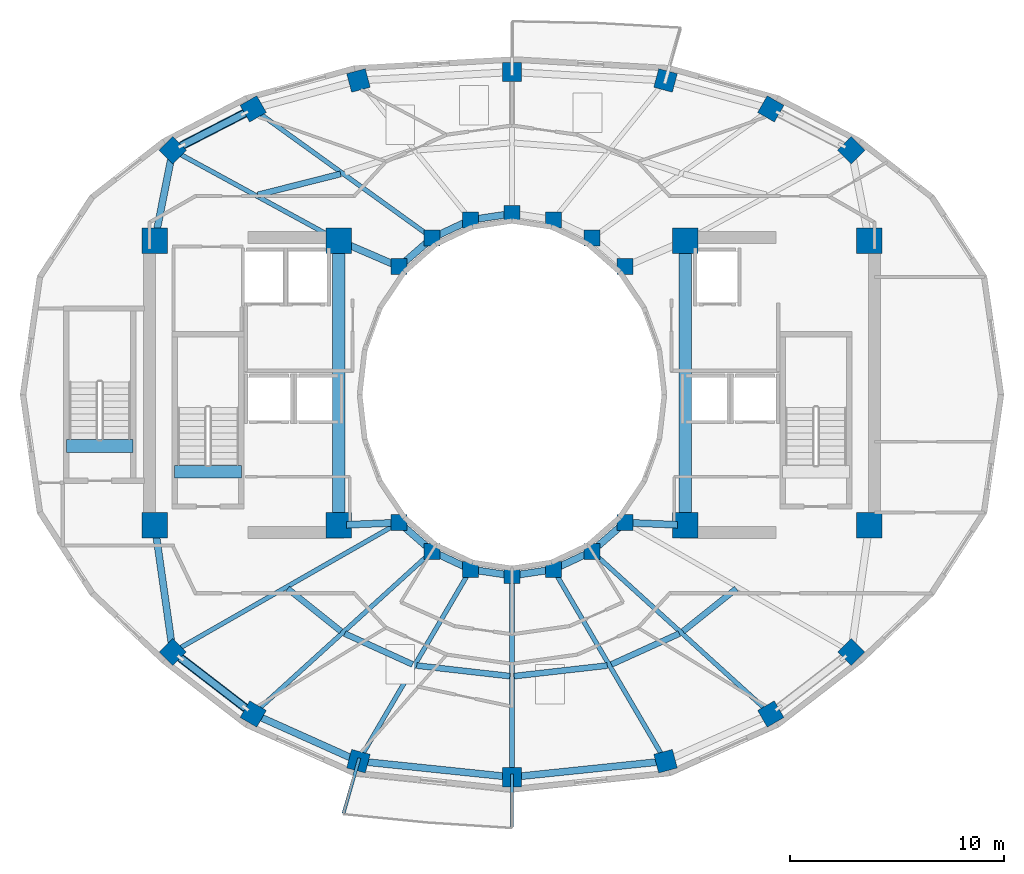
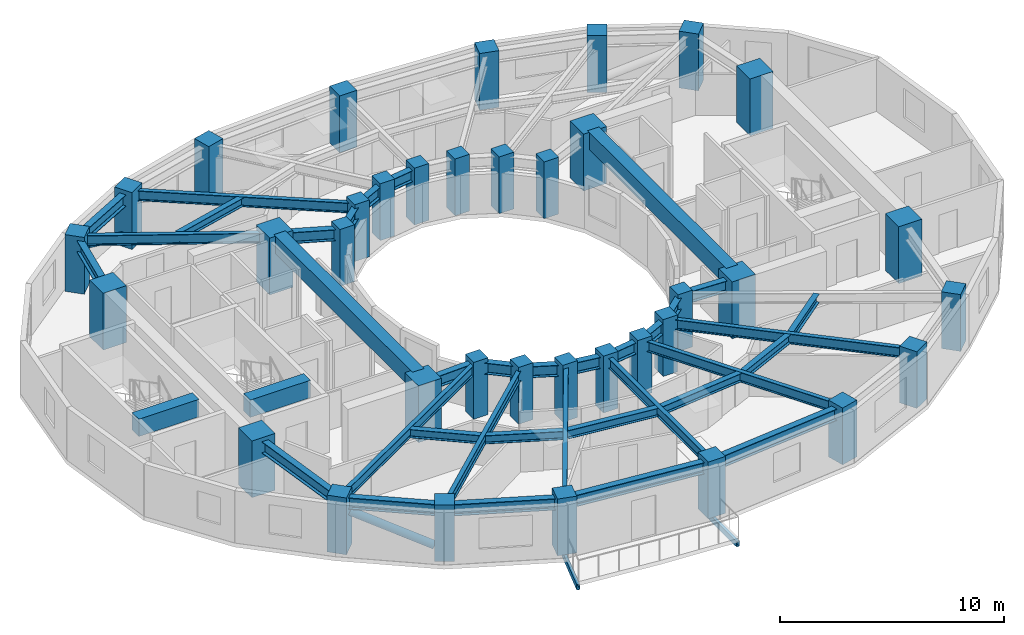
# One storey, part 1 of 9: 40 beams, 36 columns, 2 members.
"""IFC4 building model written with IfcOpenShell, lengths in metres."""

from ifc_helpers import new_model, si_unit, direction, frame, origin, origin_2d, place, context, subcontext, project, spatial, rectangle, hollow_rectangle, hollow_circle, i_section, extrude, material, material_profile, profile_set, type_object, element, save


model = new_model("IFC4")

# Units and contexts
model_context = context("Model", 3, precision=1e-05, world=origin(), true_north=direction((0.0, 1.0)))
body_context = subcontext(model_context, "Body", "Model", "MODEL_VIEW")
ifc_project = project(units=[si_unit("LENGTHUNIT", "METRE"), si_unit("AREAUNIT", "SQUARE_METRE"), si_unit("VOLUMEUNIT", "CUBIC_METRE"), si_unit("PLANEANGLEUNIT", "RADIAN"), si_unit("MASSUNIT", "GRAM", prefix="KILO")], contexts=[model_context])

# Site, building, storey
site_placement = place(None, origin())
site = spatial("IfcSite", under=ifc_project, at=site_placement, CompositionType="ELEMENT")
building_placement = place(site_placement, origin())
building = spatial("IfcBuilding", under=site, at=building_placement, Name="Solvane Sanctuary Tower", CompositionType="ELEMENT")
storey_placement = place(building_placement, frame((0.0, 0.0, 174.60009765625)))
storey = spatial("IfcBuildingStorey", under=building, at=storey_placement, Name="L53", CompositionType="ELEMENT", Elevation=174.60009765625)

# Columns
ifc_material_1 = material(Name="Concrete C50/60", Category="concrete")
ifc_material_profile_1 = material_profile(ifc_material_1, rectangle(XDim=0.75, YDim=0.75, at=origin_2d()), Name="RC750X750")
ifc_profile_set_1 = profile_set([ifc_material_profile_1], Name="Concrete C50/60")
column_type_1 = type_object("IfcColumnType", Name="Column C-RING-Z3 RC750X750", PredefinedType="COLUMN", material=ifc_profile_set_1)
for number, where, z_axis, x_axis, name in (
    (1, (37.27490234375, 28.982177734375, 0.0), (0.0, 0.0, 1.0), (1.0, 0.0, 0.0), "L53 Inner Light-Well Ring Column IC01"),
    (2, (35.72998046875, 30.32666015625, 0.0), (0.0, 0.0, 1.0), (1.0, 0.0, 0.0), "L53 Inner Light-Well Ring Column IC02"),
    (3, (33.930908203125, 31.171630859375, 0.0), (0.0, 0.0, 1.0), (1.0, 0.0, 0.0), "L53 Inner Light-Well Ring Column IC03"),
    (4, (32.0, 31.4599609375, 0.0), (0.0, 0.0, 1.0), (1.0, 0.0, 0.0), "L53 Inner Light-Well Ring Column IC04"),
    (5, (30.069091796875, 31.171630859375, 0.0), (0.0, 0.0, 1.0), (1.0, 0.0, 0.0), "L53 Inner Light-Well Ring Column IC05"),
    (6, (28.27001953125, 30.32666015625, 0.0), (0.0, 0.0, 1.0), (1.0, 0.0, 0.0), "L53 Inner Light-Well Ring Column IC06"),
    (7, (26.72509765625, 28.982177734375, 0.0), (0.0, 0.0, 1.0), (1.0, 0.0, 0.0), "L53 Inner Light-Well Ring Column IC07"),
    (8, (26.72509765625, 17.017822265625, 0.0), (0.0, 0.0, 1.0), (1.0, 0.0, 0.0), "L53 Inner Light-Well Ring Column IC08"),
    (9, (28.27001953125, 15.67333984375, 0.0), (0.0, 0.0, 1.0), (1.0, 0.0, 0.0), "L53 Inner Light-Well Ring Column IC09"),
    (10, (30.069091796875, 14.828369140625, 0.0), (0.0, 0.0, 1.0), (1.0, 0.0, 0.0), "L53 Inner Light-Well Ring Column IC10"),
    (11, (32.0, 14.5400390625, 0.0), (0.0, 0.0, 1.0), (1.0, 0.0, 0.0), "L53 Inner Light-Well Ring Column IC11"),
    (12, (33.930908203125, 14.828369140625, 0.0), (0.0, 0.0, 1.0), (1.0, 0.0, 0.0), "L53 Inner Light-Well Ring Column IC12"),
    (13, (35.72998046875, 15.67333984375, 0.0), (0.0, 0.0, 1.0), (1.0, 0.0, 0.0), "L53 Inner Light-Well Ring Column IC13"),
    (14, (37.27490234375, 17.017822265625, 0.0), (0.0, 0.0, 1.0), (1.0, 0.0, 0.0), "L53 Inner Light-Well Ring Column IC14"),
):
    element("IfcColumn", number, at=place(storey_placement, frame(where, z_axis=z_axis, x_axis=x_axis)), inside=storey, type_object=column_type_1, Name=name, PredefinedType="COLUMN", context=body_context, shape_type="SweptSolid", body=[
        extrude(rectangle(XDim=0.75, YDim=0.75, at=origin_2d()), origin(), (0.0, 0.0, 1.0), 3.099853515625),
    ])
ifc_material_2 = material(Name="Concrete C70/85", Category="concrete")
ifc_material_profile_2 = material_profile(ifc_material_2, rectangle(XDim=1.199951171875, YDim=1.199951171875, at=origin_2d()), Name="RC1200X1200")
ifc_profile_set_2 = profile_set([ifc_material_profile_2], Name="Concrete C70/85")
column_type_2 = type_object("IfcColumnType", Name="Column C-TUBE-Z1 RC1200X1200", PredefinedType="COLUMN", material=ifc_profile_set_2)
for number, where, z_axis, x_axis, name in (
    (15, (15.300048828125, 16.89990234375, 0.0), (0.0, 0.0, 1.0), (1.0, 0.0, 0.0), "L53 Core Corner Column CW1"),
    (16, (23.89990234375, 16.89990234375, 0.0), (0.0, 0.0, 1.0), (1.0, 0.0, 0.0), "L53 Core Corner Column CW2"),
    (17, (23.89990234375, 30.199951171875, 0.0), (0.0, 0.0, 1.0), (1.0, 0.0, 0.0), "L53 Core Corner Column CW3"),
    (18, (15.300048828125, 30.199951171875, 0.0), (0.0, 0.0, 1.0), (1.0, 0.0, 0.0), "L53 Core Corner Column CW4"),
    (19, (40.10009765625, 16.89990234375, 0.0), (0.0, 0.0, 1.0), (1.0, 0.0, 0.0), "L53 Core Corner Column CE1"),
    (20, (48.699951171875, 16.89990234375, 0.0), (0.0, 0.0, 1.0), (1.0, 0.0, 0.0), "L53 Core Corner Column CE2"),
    (21, (48.699951171875, 30.199951171875, 0.0), (0.0, 0.0, 1.0), (1.0, 0.0, 0.0), "L53 Core Corner Column CE3"),
    (22, (40.10009765625, 30.199951171875, 0.0), (0.0, 0.0, 1.0), (1.0, 0.0, 0.0), "L53 Core Corner Column CE4"),
):
    element("IfcColumn", number, at=place(storey_placement, frame(where, z_axis=z_axis, x_axis=x_axis)), inside=storey, type_object=column_type_2, Name=name, PredefinedType="COLUMN", context=body_context, shape_type="SweptSolid", body=[
        extrude(rectangle(XDim=1.199951171875, YDim=1.199951171875, at=origin_2d()), origin(), (0.0, 0.0, 1.0), 3.099853515625),
    ])
ifc_material_3 = material(Name="Concrete C60/75", Category="concrete")
ifc_material_profile_3 = material_profile(ifc_material_3, rectangle(XDim=0.89990234375, YDim=0.89990234375, at=origin_2d()), Name="RC900X900")
ifc_profile_set_3 = profile_set([ifc_material_profile_3], Name="Concrete C60/75")
column_type_3 = type_object("IfcColumnType", Name="Column C-TUBE-Z3 RC900X900", PredefinedType="COLUMN", material=ifc_profile_set_3)
for number, where, z_axis, x_axis, name in (
    (23, (47.856689453125, 34.426513671875, 0.0), (0.0, 0.0, 1.0), (0.707106781187, 0.707106781187, 0.0), "L53 Perimeter Tube Column TC01"),
    (24, (44.09814453125, 36.359375, 0.0), (0.0, 0.0, 1.0), (0.5, 0.866025403784, 0.0), "L53 Perimeter Tube Column TC02"),
    (25, (39.17822265625, 37.686767578125, 0.0), (0.0, 0.0, 1.0), (0.258819045103, 0.965925826289, 0.0), "L53 Perimeter Tube Column TC03"),
    (26, (32.0, 38.080078125, 0.0), (0.0, 0.0, 1.0), (0.0, 1.0, 0.0), "L53 Perimeter Tube Column TC04"),
    (27, (24.82177734375, 37.686767578125, 0.0), (0.0, 0.0, 1.0), (-0.258819045103, 0.965925826289, 0.0), "L53 Perimeter Tube Column TC05"),
    (28, (19.90185546875, 36.359375, 0.0), (0.0, 0.0, 1.0), (-0.5, 0.866025403784, 0.0), "L53 Perimeter Tube Column TC06"),
    (29, (16.143310546875, 34.426513671875, 0.0), (0.0, 0.0, 1.0), (-0.707106781187, 0.707106781187, 0.0), "L53 Perimeter Tube Column TC07"),
    (30, (16.143310546875, 10.968994140625, 0.0), (0.0, 0.0, 1.0), (-0.707106781187, -0.707106781187, 0.0), "L53 Perimeter Tube Column TC08"),
    (31, (19.90185546875, 8.072021484375, 0.0), (0.0, 0.0, 1.0), (-0.5, -0.866025403784, 0.0), "L53 Perimeter Tube Column TC09"),
    (32, (24.82177734375, 5.865478515625, 0.0), (0.0, 0.0, 1.0), (-0.258819045103, -0.965925826289, 0.0), "L53 Perimeter Tube Column TC10"),
    (33, (32.0, 5.1201171875, 0.0), (0.0, 0.0, 1.0), (0.0, -1.0, 0.0), "L53 Perimeter Tube Column TC11"),
    (34, (39.17822265625, 5.865478515625, 0.0), (0.0, 0.0, 1.0), (0.258819045103, -0.965925826289, 0.0), "L53 Perimeter Tube Column TC12"),
    (35, (44.09814453125, 8.072021484375, 0.0), (0.0, 0.0, 1.0), (0.5, -0.866025403784, 0.0), "L53 Perimeter Tube Column TC13"),
    (36, (47.856689453125, 10.968994140625, 0.0), (0.0, 0.0, 1.0), (0.707106781187, -0.707106781187, 0.0), "L53 Perimeter Tube Column TC14"),
):
    element("IfcColumn", number, at=place(storey_placement, frame(where, z_axis=z_axis, x_axis=x_axis)), inside=storey, type_object=column_type_3, Name=name, PredefinedType="COLUMN", context=body_context, shape_type="SweptSolid", body=[
        extrude(rectangle(XDim=0.89990234375, YDim=0.89990234375, at=origin_2d()), origin(), (0.0, 0.0, 1.0), 3.099853515625),
    ])

# Beams
ifc_material_4 = material(Name="Steel ASTM A500 Grade C", Category="steel")
ifc_material_profile_4 = material_profile(ifc_material_4, hollow_rectangle(XDim=0.14990234375, YDim=0.300048828125, WallThickness=0.010009765625, at=origin_2d()), Name="HSS300X150X10")
ifc_profile_set_4 = profile_set([ifc_material_profile_4], Name="Steel ASTM A500 Grade C")
beam_type_1 = type_object("IfcBeamType", Name="Beam B-BALC-BRK HSS300X150X10", PredefinedType="BEAM", material=ifc_profile_set_4)
beam_1_placement = place(storey_placement, frame((24.863037109375, 6.009521484375, -0.3720703125), z_axis=(-0.275009959001, -0.961441377542, 0.0), x_axis=(0.961441377542, -0.275009959001, 0.0)))
element("IfcBeam", 37, at=beam_1_placement, inside=storey, type_object=beam_type_1, Name="L53 Balcony Bracket SC-1", PredefinedType="BEAM", context=body_context, shape_type="SweptSolid", body=[
    extrude(hollow_rectangle(XDim=0.14990234375, YDim=0.300048828125, WallThickness=0.010009765625, at=origin_2d()), origin(), (0.0, 0.0, 1.0), 2.67919921875),
])
beam_2_placement = place(storey_placement, frame((32.0, 5.27001953125, -0.3720703125), z_axis=(0.0, -1.0, 0.0), x_axis=(1.0, 0.0, 0.0)))
element("IfcBeam", 38, at=beam_2_placement, inside=storey, type_object=beam_type_1, Name="L53 Balcony Bracket SC-2", PredefinedType="BEAM", context=body_context, shape_type="SweptSolid", body=[
    extrude(hollow_rectangle(XDim=0.14990234375, YDim=0.300048828125, WallThickness=0.010009765625, at=origin_2d()), origin(), (0.0, 0.0, 1.0), 2.484619140625),
])
ifc_material_profile_5 = material_profile(ifc_material_2, rectangle(XDim=0.60009765625, YDim=0.949951171875, at=origin_2d()), Name="RC600X950")
ifc_profile_set_5 = profile_set([ifc_material_profile_5], Name="Concrete C70/85")
beam_type_2 = type_object("IfcBeamType", Name="Beam B-COUPLE RC600X950", PredefinedType="LINTEL", material=ifc_profile_set_5)
for number, where, z_axis, x_axis, name in (
    (39, (23.89990234375, 17.35009765625, 2.625), (0.0, 1.0, 0.0), (-1.0, 0.0, 0.0), "L53 West Core Coupling Lintel"),
    (40, (40.10009765625, 17.35009765625, 2.625), (0.0, 1.0, 0.0), (-1.0, 0.0, 0.0), "L53 East Core Coupling Lintel"),
):
    element("IfcBeam", number, at=place(storey_placement, frame(where, z_axis=z_axis, x_axis=x_axis)), inside=storey, type_object=beam_type_2, Name=name, PredefinedType="LINTEL", context=body_context, shape_type="SweptSolid", body=[
        extrude(rectangle(XDim=0.60009765625, YDim=0.949951171875, at=origin_2d()), origin(), (0.0, 0.0, 1.0), 12.39990234375),
    ])
for number, where, z_axis, x_axis, name in (
    (41, (16.22998046875, 19.399169921875, 2.625), (1.0, 0.0, 0.0), (0.0, 1.0, 0.0), "L53 ST-1 Stair Floor Landing Trimmer"),
    (42, (11.169921875, 20.59912109375, 2.625), (1.0, 0.0, 0.0), (0.0, 1.0, 0.0), "L53 ST-3 Stair Floor Landing Trimmer"),
):
    element("IfcBeam", number, at=place(storey_placement, frame(where, z_axis=z_axis, x_axis=x_axis)), inside=storey, type_object=beam_type_2, Name=name, PredefinedType="LINTEL", context=body_context, shape_type="SweptSolid", body=[
        extrude(rectangle(XDim=0.60009765625, YDim=0.949951171875, at=origin_2d()), origin(), (0.0, 0.0, 1.0), 3.1201171875),
    ])
ifc_material_5 = material(Name="Steel ASTM A992 Grade 50", Category="steel")
ifc_material_profile_6 = material_profile(ifc_material_5, i_section(OverallWidth=0.214111328125, OverallDepth=0.549072265625, WebThickness=0.0146484375, FlangeThickness=0.023681640625, FilletRadius=0.014892578125, at=origin_2d()), Name="W21X93")
ifc_profile_set_6 = profile_set([ifc_material_profile_6], Name="Steel ASTM A992 Grade 50")
beam_type_3 = type_object("IfcBeamType", Name="Beam B-RAD-Z3 W21X93", PredefinedType="JOIST", material=ifc_profile_set_6)
beam_3_placement = place(storey_placement, frame((28.04296875, 30.490234375, 2.603515625), z_axis=(-0.811184384633, 0.584790470277, 0.0), x_axis=(-0.584790470277, -0.811184384633, 0.0)))
element("IfcBeam", 43, at=beam_3_placement, inside=storey, type_object=beam_type_3, Name="L53 Radial Composite Floor Beam 06", PredefinedType="JOIST", context=body_context, shape_type="SweptSolid", body=[
    extrude(i_section(OverallWidth=0.214111328125, OverallDepth=0.549072265625, WebThickness=0.0146484375, FlangeThickness=0.023681640625, FilletRadius=0.014892578125, at=origin_2d()), origin(), (0.0, 0.0, 1.0), 9.756103515625),
])
beam_4_placement = place(storey_placement, frame((23.583984375, 30.372314453125, 2.603515625), z_axis=(-0.878108435277, 0.478461676516, 0.0), x_axis=(-0.478461676516, -0.878108435277, 0.0)))
element("IfcBeam", 44, at=beam_4_placement, inside=storey, type_object=beam_type_3, Name="L53 Radial Composite Floor Beam 07", PredefinedType="JOIST", context=body_context, shape_type="SweptSolid", body=[
    extrude(i_section(OverallWidth=0.214111328125, OverallDepth=0.549072265625, WebThickness=0.0146484375, FlangeThickness=0.023681640625, FilletRadius=0.014892578125, at=origin_2d()), origin(), (0.0, 0.0, 1.0), 8.193359375),
])
beam_5_placement = place(storey_placement, frame((26.48193359375, 16.87890625, 2.603515625), z_axis=(-0.86816302692, -0.496279113694, 0.0), x_axis=(0.496279113694, -0.86816302692, 0.0)))
element("IfcBeam", 45, at=beam_5_placement, inside=storey, type_object=beam_type_3, Name="L53 Radial Composite Floor Beam 08", PredefinedType="JOIST", context=body_context, shape_type="SweptSolid", body=[
    extrude(i_section(OverallWidth=0.214111328125, OverallDepth=0.549072265625, WebThickness=0.0146484375, FlangeThickness=0.023681640625, FilletRadius=0.014892578125, at=origin_2d()), origin(), (0.0, 0.0, 1.0), 11.62841796875),
])
beam_6_placement = place(storey_placement, frame((28.062744140625, 15.485107421875, 2.603515625), z_axis=(-0.74020423772, -0.672382098558, 0.0), x_axis=(0.672382098558, -0.74020423772, 0.0)))
element("IfcBeam", 46, at=beam_6_placement, inside=storey, type_object=beam_type_3, Name="L53 Radial Composite Floor Beam 09", PredefinedType="JOIST", context=body_context, shape_type="SweptSolid", body=[
    extrude(i_section(OverallWidth=0.214111328125, OverallDepth=0.549072265625, WebThickness=0.0146484375, FlangeThickness=0.023681640625, FilletRadius=0.014892578125, at=origin_2d()), origin(), (0.0, 0.0, 1.0), 10.7451171875),
])
beam_7_placement = place(storey_placement, frame((29.927734375, 14.586669921875, 2.603515625), z_axis=(-0.505243742555, -0.862976686017, 0.0), x_axis=(0.862976686017, -0.505243742555, 0.0)))
element("IfcBeam", 47, at=beam_7_placement, inside=storey, type_object=beam_type_3, Name="L53 Radial Composite Floor Beam 10", PredefinedType="JOIST", context=body_context, shape_type="SweptSolid", body=[
    extrude(i_section(OverallWidth=0.214111328125, OverallDepth=0.549072265625, WebThickness=0.0146484375, FlangeThickness=0.023681640625, FilletRadius=0.014892578125, at=origin_2d()), origin(), (0.0, 0.0, 1.0), 9.826171875),
])
beam_8_placement = place(storey_placement, frame((32.0, 14.260009765625, 2.603515625), z_axis=(0.0, -1.0, 0.0), x_axis=(1.0, 0.0, 0.0)))
element("IfcBeam", 48, at=beam_8_placement, inside=storey, type_object=beam_type_3, Name="L53 Radial Composite Floor Beam 11", PredefinedType="JOIST", context=body_context, shape_type="SweptSolid", body=[
    extrude(i_section(OverallWidth=0.214111328125, OverallDepth=0.549072265625, WebThickness=0.0146484375, FlangeThickness=0.023681640625, FilletRadius=0.014892578125, at=origin_2d()), origin(), (0.0, 0.0, 1.0), 8.860107421875),
])
beam_9_placement = place(storey_placement, frame((34.072265625, 14.586669921875, 2.603515625), z_axis=(0.505243742555, -0.862976686017, 0.0), x_axis=(0.862976686017, 0.505243742555, 0.0)))
element("IfcBeam", 49, at=beam_9_placement, inside=storey, type_object=beam_type_3, Name="L53 Radial Composite Floor Beam 12", PredefinedType="JOIST", context=body_context, shape_type="SweptSolid", body=[
    extrude(i_section(OverallWidth=0.214111328125, OverallDepth=0.549072265625, WebThickness=0.0146484375, FlangeThickness=0.023681640625, FilletRadius=0.014892578125, at=origin_2d()), origin(), (0.0, 0.0, 1.0), 9.826171875),
])
beam_10_placement = place(storey_placement, frame((35.937255859375, 15.485107421875, 2.603515625), z_axis=(0.74020423772, -0.672382098558, 0.0), x_axis=(0.672382098558, 0.74020423772, 0.0)))
element("IfcBeam", 50, at=beam_10_placement, inside=storey, type_object=beam_type_3, Name="L53 Radial Composite Floor Beam 13", PredefinedType="JOIST", context=body_context, shape_type="SweptSolid", body=[
    extrude(i_section(OverallWidth=0.214111328125, OverallDepth=0.549072265625, WebThickness=0.0146484375, FlangeThickness=0.023681640625, FilletRadius=0.014892578125, at=origin_2d()), origin(), (0.0, 0.0, 1.0), 10.7451171875),
])
ifc_material_profile_7 = material_profile(ifc_material_5, i_section(OverallWidth=0.324951171875, OverallDepth=0.615966796875, WebThickness=0.013916015625, FlangeThickness=0.021484375, FilletRadius=0.01611328125, at=origin_2d()), Name="W24X117")
ifc_profile_set_7 = profile_set([ifc_material_profile_7], Name="Steel ASTM A992 Grade 50")
beam_type_4 = type_object("IfcBeamType", Name="Beam B-RING-IN2 W24X117", PredefinedType="BEAM", material=ifc_profile_set_7)
beam_11_placement = place(storey_placement, frame((24.230712890625, 30.0576171875, 2.56982421875), z_axis=(0.918264067649, -0.395968561966, 0.0), x_axis=(0.395968561966, 0.918264067649, 0.0)))
element("IfcBeam", 51, at=beam_11_placement, inside=storey, type_object=beam_type_4, Name="L53 Inner Light-Well Ring Beam CW3-IC07", PredefinedType="BEAM", context=body_context, shape_type="SweptSolid", body=[
    extrude(i_section(OverallWidth=0.324951171875, OverallDepth=0.615966796875, WebThickness=0.013916015625, FlangeThickness=0.021484375, FilletRadius=0.01611328125, at=origin_2d()), origin(), (0.0, 0.0, 1.0), 2.371337890625),
])
beam_12_placement = place(storey_placement, frame((26.9853515625, 29.20849609375, 2.56982421875), z_axis=(0.754311313851, 0.656516901379, 0.0), x_axis=(-0.656516901379, 0.754311313851, 0.0)))
element("IfcBeam", 52, at=beam_12_placement, inside=storey, type_object=beam_type_4, Name="L53 Inner Light-Well Ring Beam IC07-IC06", PredefinedType="BEAM", context=body_context, shape_type="SweptSolid", body=[
    extrude(i_section(OverallWidth=0.324951171875, OverallDepth=0.615966796875, WebThickness=0.013916015625, FlangeThickness=0.021484375, FilletRadius=0.01611328125, at=origin_2d()), origin(), (0.0, 0.0, 1.0), 1.358154296875),
])
beam_13_placement = place(storey_placement, frame((28.582275390625, 30.473388671875, 2.56982421875), z_axis=(0.9051808128, 0.425026700502, 0.0), x_axis=(-0.425026700502, 0.9051808128, 0.0)))
element("IfcBeam", 53, at=beam_13_placement, inside=storey, type_object=beam_type_4, Name="L53 Inner Light-Well Ring Beam IC06-IC05", PredefinedType="BEAM", context=body_context, shape_type="SweptSolid", body=[
    extrude(i_section(OverallWidth=0.324951171875, OverallDepth=0.615966796875, WebThickness=0.013916015625, FlangeThickness=0.021484375, FilletRadius=0.01611328125, at=origin_2d()), origin(), (0.0, 0.0, 1.0), 1.297607421875),
])
beam_14_placement = place(storey_placement, frame((30.410400390625, 31.22265625, 2.56982421875), z_axis=(0.989019905763, 0.147782360259, 0.0), x_axis=(-0.147782360259, 0.989019905763, 0.0)))
element("IfcBeam", 54, at=beam_14_placement, inside=storey, type_object=beam_type_4, Name="L53 Inner Light-Well Ring Beam IC05-IC04", PredefinedType="BEAM", context=body_context, shape_type="SweptSolid", body=[
    extrude(i_section(OverallWidth=0.324951171875, OverallDepth=0.615966796875, WebThickness=0.013916015625, FlangeThickness=0.021484375, FilletRadius=0.01611328125, at=origin_2d()), origin(), (0.0, 0.0, 1.0), 1.26220703125),
])
beam_15_placement = place(storey_placement, frame((24.259765625, 16.9150390625, 2.56982421875), z_axis=(0.999132674336, 0.041640113759, 0.0), x_axis=(-0.041640113759, 0.999132674336, 0.0)))
element("IfcBeam", 55, at=beam_15_placement, inside=storey, type_object=beam_type_4, Name="L53 Inner Light-Well Ring Beam CW2-IC08", PredefinedType="BEAM", context=body_context, shape_type="SweptSolid", body=[
    extrude(i_section(OverallWidth=0.324951171875, OverallDepth=0.615966796875, WebThickness=0.013916015625, FlangeThickness=0.021484375, FilletRadius=0.01611328125, at=origin_2d()), origin(), (0.0, 0.0, 1.0), 2.12255859375),
])
beam_16_placement = place(storey_placement, frame((26.9853515625, 16.79150390625, 2.56982421875), z_axis=(0.754311313851, -0.656516901379, 0.0), x_axis=(0.656516901379, 0.754311313851, 0.0)))
element("IfcBeam", 56, at=beam_16_placement, inside=storey, type_object=beam_type_4, Name="L53 Inner Light-Well Ring Beam IC08-IC09", PredefinedType="BEAM", context=body_context, shape_type="SweptSolid", body=[
    extrude(i_section(OverallWidth=0.324951171875, OverallDepth=0.615966796875, WebThickness=0.013916015625, FlangeThickness=0.021484375, FilletRadius=0.01611328125, at=origin_2d()), origin(), (0.0, 0.0, 1.0), 1.358154296875),
])
beam_17_placement = place(storey_placement, frame((28.582275390625, 15.526611328125, 2.56982421875), z_axis=(0.9051808128, -0.425026700502, 0.0), x_axis=(0.425026700502, 0.9051808128, 0.0)))
element("IfcBeam", 57, at=beam_17_placement, inside=storey, type_object=beam_type_4, Name="L53 Inner Light-Well Ring Beam IC09-IC10", PredefinedType="BEAM", context=body_context, shape_type="SweptSolid", body=[
    extrude(i_section(OverallWidth=0.324951171875, OverallDepth=0.615966796875, WebThickness=0.013916015625, FlangeThickness=0.021484375, FilletRadius=0.01611328125, at=origin_2d()), origin(), (0.0, 0.0, 1.0), 1.297607421875),
])
for number, where, z_axis, x_axis, name in (
    (58, (30.410400390625, 14.77734375, 2.56982421875), (0.989019905763, -0.147782360259, 0.0), (0.147782360259, 0.989019905763, 0.0), "L53 Inner Light-Well Ring Beam IC10-IC11"),
    (59, (32.34130859375, 14.5908203125, 2.56982421875), (0.989019905763, 0.147782360259, 0.0), (-0.147782360259, 0.989019905763, 0.0), "L53 Inner Light-Well Ring Beam IC11-IC12"),
):
    element("IfcBeam", number, at=place(storey_placement, frame(where, z_axis=z_axis, x_axis=x_axis)), inside=storey, type_object=beam_type_4, Name=name, PredefinedType="BEAM", context=body_context, shape_type="SweptSolid", body=[
        extrude(i_section(OverallWidth=0.324951171875, OverallDepth=0.615966796875, WebThickness=0.013916015625, FlangeThickness=0.021484375, FilletRadius=0.01611328125, at=origin_2d()), origin(), (0.0, 0.0, 1.0), 1.26220703125),
    ])
beam_18_placement = place(storey_placement, frame((34.2431640625, 14.97509765625, 2.56982421875), z_axis=(0.9051808128, 0.425026700502, 0.0), x_axis=(-0.425026700502, 0.9051808128, 0.0)))
element("IfcBeam", 60, at=beam_18_placement, inside=storey, type_object=beam_type_4, Name="L53 Inner Light-Well Ring Beam IC12-IC13", PredefinedType="BEAM", context=body_context, shape_type="SweptSolid", body=[
    extrude(i_section(OverallWidth=0.324951171875, OverallDepth=0.615966796875, WebThickness=0.013916015625, FlangeThickness=0.021484375, FilletRadius=0.01611328125, at=origin_2d()), origin(), (0.0, 0.0, 1.0), 1.297607421875),
])
beam_19_placement = place(storey_placement, frame((35.990234375, 15.89990234375, 2.56982421875), z_axis=(0.754311313851, 0.656516901379, 0.0), x_axis=(-0.656516901379, 0.754311313851, 0.0)))
element("IfcBeam", 61, at=beam_19_placement, inside=storey, type_object=beam_type_4, Name="L53 Inner Light-Well Ring Beam IC13-IC14", PredefinedType="BEAM", context=body_context, shape_type="SweptSolid", body=[
    extrude(i_section(OverallWidth=0.324951171875, OverallDepth=0.615966796875, WebThickness=0.013916015625, FlangeThickness=0.021484375, FilletRadius=0.01611328125, at=origin_2d()), origin(), (0.0, 0.0, 1.0), 1.358154296875),
])
beam_20_placement = place(storey_placement, frame((37.61962890625, 17.00341796875, 2.56982421875), z_axis=(0.999132674336, -0.041640113759, 0.0), x_axis=(0.041640113759, 0.999132674336, 0.0)))
element("IfcBeam", 62, at=beam_20_placement, inside=storey, type_object=beam_type_4, Name="L53 Inner Light-Well Ring Beam IC14-CE1", PredefinedType="BEAM", context=body_context, shape_type="SweptSolid", body=[
    extrude(i_section(OverallWidth=0.324951171875, OverallDepth=0.615966796875, WebThickness=0.013916015625, FlangeThickness=0.021484375, FilletRadius=0.01611328125, at=origin_2d()), origin(), (0.0, 0.0, 1.0), 2.12255859375),
])
ifc_material_profile_8 = material_profile(ifc_material_5, i_section(OverallWidth=0.280029296875, OverallDepth=0.462890625, WebThickness=0.0107421875, FlangeThickness=0.017333984375, FilletRadius=0.013916015625, at=origin_2d()), Name="W18X76")
ifc_profile_set_8 = profile_set([ifc_material_profile_8], Name="Steel ASTM A992 Grade 50")
beam_type_5 = type_object("IfcBeamType", Name="Beam B-SEC-JOIST W18X76", PredefinedType="JOIST", material=ifc_profile_set_8)
beam_21_placement = place(storey_placement, frame((20.12060546875, 32.33837890625, 2.646484375), z_axis=(0.969378020231, 0.245573316737, 0.0), x_axis=(-0.245573316737, 0.969378020231, 0.0)))
element("IfcBeam", 63, at=beam_21_placement, inside=storey, type_object=beam_type_5, Name="L53 Secondary Circumferential Joist 07-06", PredefinedType="JOIST", context=body_context, shape_type="SweptSolid", body=[
    extrude(i_section(OverallWidth=0.280029296875, OverallDepth=0.462890625, WebThickness=0.0107421875, FlangeThickness=0.017333984375, FilletRadius=0.013916015625, at=origin_2d()), origin(), (0.0, 0.0, 1.0), 3.988525390625),
])
beam_22_placement = place(storey_placement, frame((21.513916015625, 13.9296875, 2.646484375), z_axis=(0.780950896308, -0.62459242515, 0.0), x_axis=(0.62459242515, 0.780950896308, 0.0)))
element("IfcBeam", 64, at=beam_22_placement, inside=storey, type_object=beam_type_5, Name="L53 Secondary Circumferential Joist 08-09", PredefinedType="JOIST", context=body_context, shape_type="SweptSolid", body=[
    extrude(i_section(OverallWidth=0.280029296875, OverallDepth=0.462890625, WebThickness=0.0107421875, FlangeThickness=0.017333984375, FilletRadius=0.013916015625, at=origin_2d()), origin(), (0.0, 0.0, 1.0), 3.191650390625),
])
beam_23_placement = place(storey_placement, frame((24.178955078125, 11.83056640625, 2.646484375), z_axis=(0.910462399508, -0.413591850842, 0.0), x_axis=(0.413591850842, 0.910462399508, 0.0)))
element("IfcBeam", 65, at=beam_23_placement, inside=storey, type_object=beam_type_5, Name="L53 Secondary Circumferential Joist 09-10", PredefinedType="JOIST", context=body_context, shape_type="SweptSolid", body=[
    extrude(i_section(OverallWidth=0.280029296875, OverallDepth=0.462890625, WebThickness=0.0107421875, FlangeThickness=0.017333984375, FilletRadius=0.013916015625, at=origin_2d()), origin(), (0.0, 0.0, 1.0), 3.485595703125),
])
for number, where, z_axis, x_axis, name in (
    (66, (27.546875, 10.335205078125, 2.646484375), (0.993627549834, -0.112713318696, 0.0), (0.112713318696, 0.993627549834, 0.0), "L53 Secondary Circumferential Joist 10-11"),
    (67, (32.101318359375, 9.841552734375, 2.646484375), (0.993627549834, 0.112713318696, 0.0), (-0.112713318696, 0.993627549834, 0.0), "L53 Secondary Circumferential Joist 11-12"),
):
    element("IfcBeam", number, at=place(storey_placement, frame(where, z_axis=z_axis, x_axis=x_axis)), inside=storey, type_object=beam_type_5, Name=name, PredefinedType="JOIST", context=body_context, shape_type="SweptSolid", body=[
        extrude(i_section(OverallWidth=0.280029296875, OverallDepth=0.462890625, WebThickness=0.0107421875, FlangeThickness=0.017333984375, FilletRadius=0.013916015625, at=origin_2d()), origin(), (0.0, 0.0, 1.0), 4.379638671875),
    ])
beam_24_placement = place(storey_placement, frame((36.6474609375, 10.388916015625, 2.646484375), z_axis=(0.910474379443, 0.413565477739, 0.0), x_axis=(-0.413565477739, 0.910474379443, 0.0)))
element("IfcBeam", 68, at=beam_24_placement, inside=storey, type_object=beam_type_5, Name="L53 Secondary Circumferential Joist 12-13", PredefinedType="JOIST", context=body_context, shape_type="SweptSolid", body=[
    extrude(i_section(OverallWidth=0.280029296875, OverallDepth=0.462890625, WebThickness=0.0107421875, FlangeThickness=0.017333984375, FilletRadius=0.013916015625, at=origin_2d()), origin(), (0.0, 0.0, 1.0), 3.48583984375),
])
beam_25_placement = place(storey_placement, frame((39.993896484375, 11.936279296875, 2.646484375), z_axis=(0.78092105122, 0.624629739735, 0.0), x_axis=(-0.624629739735, 0.78092105122, 0.0)))
element("IfcBeam", 69, at=beam_25_placement, inside=storey, type_object=beam_type_5, Name="L53 Secondary Circumferential Joist 13-14", PredefinedType="JOIST", context=body_context, shape_type="SweptSolid", body=[
    extrude(i_section(OverallWidth=0.280029296875, OverallDepth=0.462890625, WebThickness=0.0107421875, FlangeThickness=0.017333984375, FilletRadius=0.013916015625, at=origin_2d()), origin(), (0.0, 0.0, 1.0), 3.19140625),
])
ifc_material_profile_9 = material_profile(ifc_material_5, i_section(OverallWidth=0.327880859375, OverallDepth=0.6279296875, WebThickness=0.0166015625, FlangeThickness=0.027587890625, FilletRadius=0.01611328125, at=origin_2d()), Name="W24X146")
ifc_profile_set_9 = profile_set([ifc_material_profile_9], Name="Steel ASTM A992 Grade 50")
beam_type_6 = type_object("IfcBeamType", Name="Beam B-SPAND-Z3 W24X146", PredefinedType="SPANDREL", material=ifc_profile_set_9)
beam_26_placement = place(storey_placement, frame((15.354736328125, 30.474609375, 2.56396484375), z_axis=(0.195715452505, 0.980660727087, 0.0), x_axis=(-0.980660727087, 0.195715452505, 0.0)))
element("IfcBeam", 70, at=beam_26_placement, inside=storey, type_object=beam_type_6, Name="L53 Perimeter Spandrel Beam CW4-TC07", PredefinedType="SPANDREL", context=body_context, shape_type="SweptSolid", body=[
    extrude(i_section(OverallWidth=0.327880859375, OverallDepth=0.6279296875, WebThickness=0.0166015625, FlangeThickness=0.027587890625, FilletRadius=0.01611328125, at=origin_2d()), origin(), (0.0, 0.0, 1.0), 3.749755859375),
])
beam_27_placement = place(storey_placement, frame((16.392333984375, 34.554443359375, 2.56396484375), z_axis=(0.889295540094, 0.457332966632, 0.0), x_axis=(-0.457332966632, 0.889295540094, 0.0)))
element("IfcBeam", 71, at=beam_27_placement, inside=storey, type_object=beam_type_6, Name="L53 Perimeter Spandrel Beam TC07-TC06", PredefinedType="SPANDREL", context=body_context, shape_type="SweptSolid", body=[
    extrude(i_section(OverallWidth=0.327880859375, OverallDepth=0.6279296875, WebThickness=0.0166015625, FlangeThickness=0.027587890625, FilletRadius=0.01611328125, at=origin_2d()), origin(), (0.0, 0.0, 1.0), 3.66650390625),
])
beam_28_placement = place(storey_placement, frame((15.33935546875, 16.622802734375, 2.56396484375), z_axis=(0.140798255486, -0.990038307972, 0.0), x_axis=(0.990038307972, 0.140798255486, 0.0)))
element("IfcBeam", 72, at=beam_28_placement, inside=storey, type_object=beam_type_6, Name="L53 Perimeter Spandrel Beam CW1-TC08", PredefinedType="SPANDREL", context=body_context, shape_type="SweptSolid", body=[
    extrude(i_section(OverallWidth=0.327880859375, OverallDepth=0.6279296875, WebThickness=0.0166015625, FlangeThickness=0.027587890625, FilletRadius=0.01611328125, at=origin_2d()), origin(), (0.0, 0.0, 1.0), 5.430908203125),
])
beam_29_placement = place(storey_placement, frame((16.365234375, 10.798095703125, 2.56396484375), z_axis=(0.792020773873, -0.610494139001, 0.0), x_axis=(0.610494139001, 0.792020773873, 0.0)))
element("IfcBeam", 73, at=beam_29_placement, inside=storey, type_object=beam_type_6, Name="L53 Perimeter Spandrel Beam TC08-TC09", PredefinedType="SPANDREL", context=body_context, shape_type="SweptSolid", body=[
    extrude(i_section(OverallWidth=0.327880859375, OverallDepth=0.6279296875, WebThickness=0.0166015625, FlangeThickness=0.027587890625, FilletRadius=0.01611328125, at=origin_2d()), origin(), (0.0, 0.0, 1.0), 4.185302734375),
])
beam_30_placement = place(storey_placement, frame((20.157470703125, 7.95751953125, 2.56396484375), z_axis=(0.912414349424, -0.409267705744, 0.0), x_axis=(0.409267705744, 0.912414349424, 0.0)))
element("IfcBeam", 74, at=beam_30_placement, inside=storey, type_object=beam_type_6, Name="L53 Perimeter Spandrel Beam TC09-TC10", PredefinedType="SPANDREL", context=body_context, shape_type="SweptSolid", body=[
    extrude(i_section(OverallWidth=0.327880859375, OverallDepth=0.6279296875, WebThickness=0.0166015625, FlangeThickness=0.027587890625, FilletRadius=0.01611328125, at=origin_2d()), origin(), (0.0, 0.0, 1.0), 4.831787109375),
])
for number, where, z_axis, x_axis, name in (
    (75, (25.10009765625, 5.83642578125, 2.56396484375), (0.994652761118, -0.103275770632, 0.0), (0.103275770632, 0.994652761118, 0.0), "L53 Perimeter Spandrel Beam TC10-TC11"),
    (76, (32.278564453125, 5.14892578125, 2.56396484375), (0.994652761118, 0.103275770632, 0.0), (-0.103275770632, 0.994652761118, 0.0), "L53 Perimeter Spandrel Beam TC11-TC12"),
):
    element("IfcBeam", number, at=place(storey_placement, frame(where, z_axis=z_axis, x_axis=x_axis)), inside=storey, type_object=beam_type_6, Name=name, PredefinedType="SPANDREL", context=body_context, shape_type="SweptSolid", body=[
        extrude(i_section(OverallWidth=0.327880859375, OverallDepth=0.6279296875, WebThickness=0.0166015625, FlangeThickness=0.027587890625, FilletRadius=0.01611328125, at=origin_2d()), origin(), (0.0, 0.0, 1.0), 6.656982421875),
    ])

# Members
ifc_material_profile_10 = material_profile(ifc_material_5, hollow_circle(Radius=0.202880859375, WallThickness=0.012451171875, at=origin_2d()), Name="CHS406X12.5")
ifc_profile_set_10 = profile_set([ifc_material_profile_10], Name="Steel ASTM A992 Grade 50")
member_type = type_object("IfcMemberType", Name="Member M-TUBE-Z3 CHS406X12.5", PredefinedType="BRACE", material=ifc_profile_set_10)
member_1_placement = place(storey_placement, frame((19.4931640625, 36.149169921875, 0.583251953125), z_axis=(-0.813229340921, -0.418236115998, 0.404643782036), x_axis=(0.457351371069, -0.889286075108, 0.0)))
element("IfcMember", 77, at=member_1_placement, inside=storey, type_object=member_type, Name="L53 Perimeter Braced-Tube Diagonal NW", PredefinedType="BRACE", context=body_context, shape_type="SweptSolid", body=[
    extrude(hollow_circle(Radius=0.202880859375, WallThickness=0.012451171875, at=origin_2d()), origin(), (0.0, 0.0, 1.0), 3.59228515625),
])
member_2_placement = place(storey_placement, frame((19.534912109375, 8.354736328125, 0.5625), z_axis=(-0.73686018058, 0.568005062922, 0.366616042707), x_axis=(-0.610513708364, -0.792005689311, 0.0)))
element("IfcMember", 78, at=member_2_placement, inside=storey, type_object=member_type, Name="L53 Perimeter Braced-Tube Diagonal SW", PredefinedType="BRACE", context=body_context, shape_type="SweptSolid", body=[
    extrude(hollow_circle(Radius=0.202880859375, WallThickness=0.012451171875, at=origin_2d()), origin(), (0.0, 0.0, 1.0), 4.104736328125),
])

save(model, "model.ifc")
